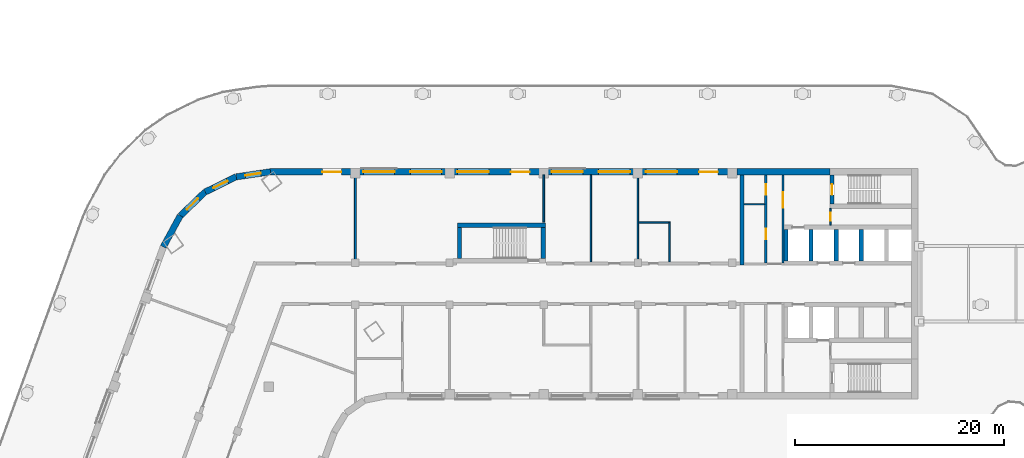
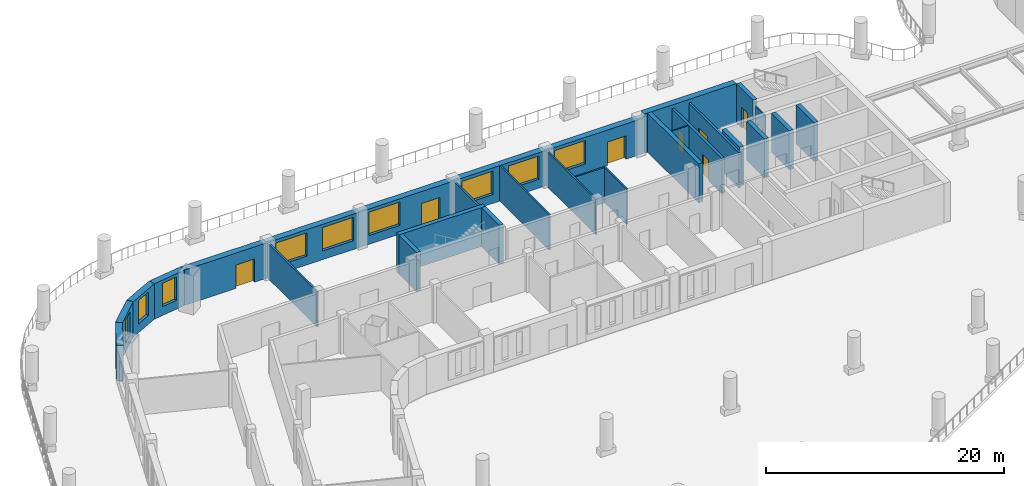
# One storey, part 8 of 18: 25 walls, 9 windows, 8 doors, 17 openings.
"""IFC4 building model written with IfcOpenShell, lengths in metres."""

import ifcopenshell
import ifcopenshell.guid

model = None  # the IFC model being written
_history = None  # IfcOwnerHistory: only IFC2X3 demands one
_inside = {}  # id of a spatial element -> (the spatial element, [elements in it])
_under = {}  # id of a project, library or spatial element -> (it, [spatial elements below it])
_declared = {}  # id of a project -> (the project, [libraries it declares])
_typed = {}  # id of a type object -> (the type object, [elements of that type])
_made_of = {}  # id of a material, layer set ... -> (it, [elements and type objects made of it])


def new_model(schema):
    """Start an empty IFC model of exactly this schema.

    Asked for "IFC4X3", IfcOpenShell would pick the latest addendum, in which some entities
    have other attributes; the version numbers below select the first issue.
    IFC2X3 requires an IfcOwnerHistory on every rooted entity: one is made here for all.
    """
    global model, _history
    if schema == "IFC4X3":
        model = ifcopenshell.file(schema_version=(4, 3, 0, 0))
    else:
        model = ifcopenshell.file(schema=schema)
    _inside.clear()
    _under.clear()
    _declared.clear()
    _typed.clear()
    _made_of.clear()
    _history = None
    if model.schema == "IFC2X3":
        org = make("IfcOrganization", Name="unknown")
        user = make(
            "IfcPersonAndOrganization",
            ThePerson=make("IfcPerson", FamilyName="unknown"),
            TheOrganization=org,
        )
        app = make(
            "IfcApplication",
            ApplicationDeveloper=org,
            Version="unknown",
            ApplicationFullName="unknown",
            ApplicationIdentifier="unknown",
        )
        _history = make(
            "IfcOwnerHistory",
            OwningUser=user,
            OwningApplication=app,
            ChangeAction="ADDED",
            CreationDate=0,
        )
    return model


def make(cls, **values):
    """One entity of the class cls with the attributes given. An attribute that is None is left unset."""
    return model.create_entity(
        cls, **{name: value for name, value in values.items() if value is not None}
    )


def rooted(cls, **values):
    """An entity with a GlobalId (a new one), such as an element, a storey or a relation."""
    return make(cls, GlobalId=ifcopenshell.guid.new(), OwnerHistory=_history, **values)


def si_unit(unit_type, name, prefix=None):
    """IfcSIUnit, for example si_unit("LENGTHUNIT", "METRE", prefix="MILLI")."""
    return make("IfcSIUnit", UnitType=unit_type, Prefix=prefix, Name=name)


def assignment(units):
    """IfcUnitAssignment: the units of a project."""
    return None if units is None else make("IfcUnitAssignment", Units=units)


def point(xyz):
    """IfcCartesianPoint."""
    return None if xyz is None else make("IfcCartesianPoint", Coordinates=xyz)


def direction(xyz):
    """IfcDirection."""
    return None if xyz is None else make("IfcDirection", DirectionRatios=xyz)


def frame(location, z_axis=None, x_axis=None):
    """IfcAxis2Placement3D, a coordinate frame: its origin and axes. An axis left out is left unset."""
    return make(
        "IfcAxis2Placement3D",
        Location=point(location),
        Axis=direction(z_axis),
        RefDirection=direction(x_axis),
    )


def frame_2d(location, x_axis=None):
    """IfcAxis2Placement2D, a coordinate frame in the plane: its origin and x axis."""
    return make(
        "IfcAxis2Placement2D", Location=point(location), RefDirection=direction(x_axis)
    )


def origin():
    """The frame at (0, 0, 0) with its axes left unset."""
    return frame((0.0, 0.0, 0.0))


def place(relative_to, where):
    """IfcLocalPlacement: puts the frame where relative to a parent placement (None: the world)."""
    return make(
        "IfcLocalPlacement", PlacementRelTo=relative_to, RelativePlacement=where
    )


def context(
    kind, dimensions, precision=None, world=None, true_north=None, identifier=None
):
    """IfcGeometricRepresentationContext, for example the 3D "Model" context."""
    return make(
        "IfcGeometricRepresentationContext",
        ContextIdentifier=identifier,
        ContextType=kind,
        CoordinateSpaceDimension=dimensions,
        Precision=precision,
        WorldCoordinateSystem=world,
        TrueNorth=true_north,
    )


def subcontext(parent, identifier, kind, view, scale=None):
    """IfcGeometricRepresentationSubContext, for example "Body" below "Model"."""
    return make(
        "IfcGeometricRepresentationSubContext",
        ContextIdentifier=identifier,
        ContextType=kind,
        ParentContext=parent,
        TargetScale=scale,
        TargetView=view,
    )


def project(units=None, contexts=None):
    """IfcProject with its units and contexts."""
    return rooted(
        "IfcProject",
        Name="project",
        RepresentationContexts=contexts,
        UnitsInContext=assignment(units),
    )


def spatial(cls, under=None, at=None, **own):
    """A site, building, storey or space (cls), placed at a placement, below another one or the project."""
    s = rooted(cls, ObjectPlacement=at, **own)
    if under is not None:
        _under.setdefault(under.id(), (under, []))[1].append(s)
    return s


def profile(cls, at=None, kind="AREA", **sizes):
    """A parametric profile (cls). Its sizes go by their IFC names, for example OverallWidth=200.0."""
    return make(cls, ProfileType=kind, Position=at, **sizes)


def rectangle(**sizes):
    """IfcRectangleProfileDef."""
    return profile("IfcRectangleProfileDef", **sizes)


def extrude(swept, where, along, depth):
    """IfcExtrudedAreaSolid: the profile swept, set in the frame where, extruded along a direction by depth."""
    return make(
        "IfcExtrudedAreaSolid",
        SweptArea=swept,
        Position=where,
        ExtrudedDirection=direction(along),
        Depth=depth,
    )


def shape(context_of_items, identifier, shape_type, items):
    """IfcShapeRepresentation: the items that make up one representation, for example the "Body"."""
    return make(
        "IfcShapeRepresentation",
        ContextOfItems=context_of_items,
        RepresentationIdentifier=identifier,
        RepresentationType=shape_type,
        Items=items,
    )


def material(Name=None, Category=None):
    """IfcMaterial."""
    return make("IfcMaterial", Name=Name, Category=Category)


def layer(
    of_material, thickness, ventilated=None, Name=None, Category=None, Priority=None
):
    """IfcMaterialLayer: one layer of a wall or slab, of a material (None: an air gap)."""
    return make(
        "IfcMaterialLayer",
        Material=of_material,
        LayerThickness=thickness,
        IsVentilated=ventilated,
        Name=Name,
        Category=Category,
        Priority=Priority,
    )


def layer_set(layers, Name=None):
    """IfcMaterialLayerSet."""
    return make("IfcMaterialLayerSet", MaterialLayers=layers, LayerSetName=Name)


def made_of(thing, what):
    """Note that an element or type object is made of a material, layer set ...; save() writes the relation."""
    if what is not None:
        _made_of.setdefault(what.id(), (what, []))[1].append(thing)
    return thing


def type_object(cls, material=None, **own):
    """A type object (cls), such as IfcWallType, which elements share."""
    return made_of(rooted(cls, **own), material)


def element(
    cls,
    number,
    at=None,
    inside=None,
    cuts=None,
    type_object=None,
    material=None,
    context=None,
    identifier="Body",
    shape_type=None,
    held_by="IfcProductDefinitionShape",
    body=None,
    shapes=None,
    **own,
):
    """One element of the class cls, such as IfcWall. Its Tag is "e" and its number.

    at: its placement. inside: the storey or other place that contains it. cuts: it is an
    opening in that element (IfcRelVoidsElement). A single representation is given by context,
    identifier, shape_type and body (its items); several are given by shapes. held_by: the class
    of the entity that holds the representations. save() writes the other relations.
    """
    e = rooted(cls, Tag="e%d" % number, ObjectPlacement=at, **own)
    if body is not None:
        shapes = [shape(context, identifier, shape_type, body)]
    if shapes is not None:
        e.Representation = make(held_by, Representations=shapes)
    if inside is not None:
        _inside.setdefault(inside.id(), (inside, []))[1].append(e)
    if cuts is not None:
        rooted(
            "IfcRelVoidsElement", RelatingBuildingElement=cuts, RelatedOpeningElement=e
        )
    if type_object is not None:
        _typed.setdefault(type_object.id(), (type_object, []))[1].append(e)
    return made_of(e, material)


def fill(opening, filler):
    """IfcRelFillsElement: the door or window that sits in an opening."""
    return rooted(
        "IfcRelFillsElement",
        RelatingOpeningElement=opening,
        RelatedBuildingElement=filler,
    )


def aggregate(whole, parts):
    """IfcRelAggregates: a whole, such as a stair, and the parts it consists of."""
    return rooted("IfcRelAggregates", RelatingObject=whole, RelatedObjects=parts)


def save(model, path):
    """Write the relations noted so far, then the file.

    IfcRelAggregates (storeys below a building ...), IfcRelContainedInSpatialStructure (elements
    in a storey), IfcRelDefinesByType, IfcRelAssociatesMaterial and IfcRelDeclares: one each for
    every whole, place, type object, material and project.
    """
    for whole, parts in _under.values():
        aggregate(whole, parts)
    for where, things in _inside.values():
        rooted(
            "IfcRelContainedInSpatialStructure",
            RelatedElements=things,
            RelatingStructure=where,
        )
    for kind, things in _typed.values():
        rooted("IfcRelDefinesByType", RelatedObjects=things, RelatingType=kind)
    for what, things in _made_of.values():
        rooted("IfcRelAssociatesMaterial", RelatedObjects=things, RelatingMaterial=what)
    for by, libraries in _declared.values():
        rooted("IfcRelDeclares", RelatingContext=by, RelatedDefinitions=libraries)
    model.write(path)


model = new_model("IFC4")

# Units and contexts
model_context = context("Model", 3, precision=1e-05, world=origin(), true_north=direction((0.0, 1.0)))
body_context = subcontext(model_context, "Body", "Model", "MODEL_VIEW")
ifc_project = project(units=[si_unit("LENGTHUNIT", "METRE"), si_unit("AREAUNIT", "SQUARE_METRE"), si_unit("VOLUMEUNIT", "CUBIC_METRE"), si_unit("PLANEANGLEUNIT", "RADIAN"), si_unit("MASSUNIT", "GRAM", prefix="KILO")], contexts=[model_context])

# Site, building, storey
site_placement = place(None, origin())
site = spatial("IfcSite", under=ifc_project, at=site_placement, CompositionType="ELEMENT")
building_placement = place(site_placement, origin())
building = spatial("IfcBuilding", under=site, at=building_placement, Name="Skarvind Civic Tower", CompositionType="ELEMENT")
storey_placement = place(building_placement, frame((0.0, 0.0, 27.5)))
storey = spatial("IfcBuildingStorey", under=building, at=storey_placement, Name="L05", CompositionType="ELEMENT", Elevation=27.5)

# Walls
ifc_material_1 = material(Name="Acoustic gypsum board on steel studs", Category="steel")
ifc_layer_1 = layer(ifc_material_1, 0.175048828125)
ifc_layer_set_1 = layer_set([ifc_layer_1], Name="ACOUSTIC MEETING-ROOM PARTITION 175")
wall_type_1 = type_object("IfcWallType", Name="ACOUSTIC MEETING-ROOM PARTITION 175", PredefinedType="PARTITIONING", material=ifc_layer_set_1)
wall_1_placement = place(storey_placement, frame((54.25, 138.39990234375, 0.0), z_axis=(0.0, 0.0, 1.0), x_axis=(0.0, -1.0, 0.0)))
element("IfcWall", 1, at=wall_1_placement, inside=storey, type_object=wall_type_1, Name="Partition 05.015", PredefinedType="PARTITIONING", context=body_context, shape_type="SweptSolid", body=[
    extrude(rectangle(XDim=8.2998046875, YDim=0.175048828125, at=frame_2d((4.14990234375, 0.0))), origin(), (0.0, 0.0, 1.0), 3.625),
])
wall_2_placement = place(storey_placement, frame((72.25, 133.89990234375, 0.0), z_axis=(0.0, 0.0, 1.0), x_axis=(0.0, 1.0, 0.0)))
element("IfcWall", 2, at=wall_2_placement, inside=storey, type_object=wall_type_1, Name="Partition 05.019", PredefinedType="PARTITIONING", context=body_context, shape_type="SweptSolid", body=[
    extrude(rectangle(XDim=4.5, YDim=0.175048828125, at=frame_2d((2.25, 0.0))), origin(), (0.0, 0.0, 1.0), 3.625),
])

# Wall, opening, door
ifc_material_2 = material(Name="Fire-rated masonry partition", Category="masonry")
ifc_layer_2 = layer(ifc_material_2, 0.199951171875)
ifc_layer_set_2 = layer_set([ifc_layer_2], Name="Core enclosure wall 200")
wall_type_2 = type_object("IfcWallType", Name="Core enclosure wall 200", PredefinedType="PARTITIONING", material=ifc_layer_set_2)
wall_3_placement = place(storey_placement, frame((95.10009765625, 130.0, 0.0), z_axis=(0.0, 0.0, 1.0), x_axis=(0.0, 1.0, 0.0)))
wall_3 = element("IfcWall", 3, at=wall_3_placement, inside=storey, type_object=wall_type_2, Name="Core wall C1", PredefinedType="PARTITIONING", context=body_context, shape_type="SweptSolid", body=[
    extrude(rectangle(XDim=8.39990234375, YDim=0.199951171875, at=frame_2d((4.199951171875, 0.0))), origin(), (0.0, 0.0, 1.0), 3.625),
])
opening_1_placement = place(wall_3_placement, frame((5.25, 0.0, 0.0)))
opening_1 = element("IfcOpeningElement", 4, at=opening_1_placement, cuts=wall_3, Name="Opening D-L05-C1-11", PredefinedType="OPENING", context=body_context, shape_type="SweptSolid", body=[
    extrude(rectangle(XDim=1.5, YDim=2.10009765625, at=frame_2d((0.75, 1.050048828125))), frame((0.0, 0.10986328125, 0.0), z_axis=(0.0, -1.0, 0.0), x_axis=(1.0, 0.0, 0.0)), (0.0, 0.0, 1.0), 0.219970703125),
])
ifc_material_3 = material(Name="Fire-rated steel door", Category="steel")
door_type_1 = type_object("IfcDoorType", Name="Fire door 1500", OperationType="NOTDEFINED", PredefinedType="DOOR", material=ifc_material_3)
door_1_placement = place(opening_1_placement, origin())
door_1 = element("IfcDoor", 5, at=door_1_placement, inside=storey, type_object=door_type_1, Name="Fire door", OperationType="DOUBLE_DOOR_SINGLE_SWING", OverallHeight=2.10009765625, OverallWidth=1.5, PredefinedType="DOOR", context=body_context, shape_type="SweptSolid", body=[
    extrude(rectangle(XDim=1.5, YDim=2.10009765625, at=frame_2d((0.75, 1.050048828125))), frame((0.0, 0.02490234375, 0.0), z_axis=(0.0, -1.0, 0.0), x_axis=(1.0, 0.0, 0.0)), (0.0, 0.0, 1.0), 0.050048828125),
])
fill(opening_1, door_1)

# Wall
ifc_material_4 = material(Name="Fire-rated plasterboard partition")
ifc_layer_3 = layer(ifc_material_4, 0.10009765625)
ifc_layer_set_3 = layer_set([ifc_layer_3], Name="Core partition wall 100")
wall_type_3 = type_object("IfcWallType", Name="Core partition wall 100", PredefinedType="PARTITIONING", material=ifc_layer_set_3)
wall_4_placement = place(storey_placement, frame((91.39990234375, 135.60009765625, 0.0), z_axis=(0.0, 0.0, 1.0), x_axis=(1.0, 0.0, 0.0)))
element("IfcWall", 6, at=wall_4_placement, inside=storey, type_object=wall_type_3, Name="Core wall C1", PredefinedType="PARTITIONING", context=body_context, shape_type="SweptSolid", body=[
    extrude(rectangle(XDim=1.9501953125, YDim=0.10009765625, at=frame_2d((0.97509765625, 0.0))), origin(), (0.0, 0.0, 1.0), 3.625),
])

# Wall, opening, door
ifc_material_5 = material(Name="Concrete C80", Category="concrete")
ifc_layer_4 = layer(ifc_material_5, 0.39990234375)
ifc_layer_set_4 = layer_set([ifc_layer_4], Name="Core wall 400 C80")
wall_type_4 = type_object("IfcWallType", Name="Core wall 400 C80", PredefinedType="SHEAR", material=ifc_layer_set_4)
wall_5_placement = place(storey_placement, frame((99.800048828125, 138.39990234375, 0.0), z_axis=(0.0, 0.0, 1.0), x_axis=(0.0, -1.0, 0.0)))
wall_5 = element("IfcWall", 7, at=wall_5_placement, inside=storey, type_object=wall_type_4, Name="Core wall C1 south stair end L05", PredefinedType="SHEAR", context=body_context, shape_type="SweptSolid", body=[
    extrude(rectangle(XDim=2.7998046875, YDim=0.39990234375, at=frame_2d((1.39990234375, 0.0))), origin(), (0.0, 0.0, 1.0), 4.0),
])
opening_2_placement = place(wall_5_placement, frame((0.89990234375, 0.0, 0.0)))
opening_2 = element("IfcOpeningElement", 8, at=opening_2_placement, cuts=wall_5, Name="Opening D-L05-C1-12", PredefinedType="OPENING", context=body_context, shape_type="SweptSolid", body=[
    extrude(rectangle(XDim=1.0, YDim=2.10009765625, at=frame_2d((0.5, 1.050048828125))), frame((0.0, 0.2099609375, 0.0), z_axis=(0.0, -1.0, 0.0), x_axis=(1.0, 0.0, 0.0)), (0.0, 0.0, 1.0), 0.419921875),
])
door_type_2 = type_object("IfcDoorType", Name="Fire door 1000", OperationType="NOTDEFINED", PredefinedType="DOOR", material=ifc_material_3)
door_2_placement = place(opening_2_placement, origin())
door_2 = element("IfcDoor", 9, at=door_2_placement, inside=storey, type_object=door_type_2, Name="Fire door", OperationType="SINGLE_SWING_RIGHT", OverallHeight=2.10009765625, OverallWidth=1.0, PredefinedType="DOOR", context=body_context, shape_type="SweptSolid", body=[
    extrude(rectangle(XDim=1.0, YDim=2.10009765625, at=frame_2d((0.5, 1.050048828125))), frame((0.0, 0.02490234375, 0.0), z_axis=(0.0, -1.0, 0.0), x_axis=(1.0, 0.0, 0.0)), (0.0, 0.0, 1.0), 0.050048828125),
])
fill(opening_2, door_2)

# Walls
for number, where, z_axis, x_axis, name in (
    (10, (102.60009765625, 133.199951171875, 0.0), (0.0, 0.0, 1.0), (0.0, -1.0, 0.0), "Core wall C1 south lift row division 2 L05"),
    (11, (100.199951171875, 133.199951171875, 0.0), (0.0, 0.0, 1.0), (0.0, -1.0, 0.0), "Core wall C1 south lift row division 3 L05"),
    (12, (97.800048828125, 133.199951171875, 0.0), (0.0, 0.0, 1.0), (0.0, -1.0, 0.0), "Core wall C1 south lift row division 4 L05"),
    (13, (95.39990234375, 133.199951171875, 0.0), (0.0, 0.0, 1.0), (0.0, -1.0, 0.0), "Core wall C1 south lift row division 5 L05"),
):
    element("IfcWall", number, at=place(storey_placement, frame(where, z_axis=z_axis, x_axis=x_axis)), inside=storey, type_object=wall_type_4, Name=name, PredefinedType="SHEAR", context=body_context, shape_type="SweptSolid", body=[
        extrude(rectangle(XDim=3.0, YDim=0.39990234375, at=frame_2d((1.5, 0.0))), origin(), (0.0, 0.0, 1.0), 4.0),
    ])
wall_6_placement = place(storey_placement, frame((91.199951171875, 138.39990234375, 0.0), z_axis=(0.0, 0.0, 1.0), x_axis=(0.0, -1.0, 0.0)))
element("IfcWall", 14, at=wall_6_placement, inside=storey, type_object=wall_type_4, Name="Core wall C1 south inner face L05", PredefinedType="SHEAR", context=body_context, shape_type="SweptSolid", body=[
    extrude(rectangle(XDim=8.599853515625, YDim=0.39990234375, at=frame_2d((4.2998046875, 0.0))), origin(), (0.0, 0.0, 1.0), 4.0),
])
wall_7_placement = place(storey_placement, frame((64.0, 133.60009765625, 0.0), z_axis=(0.0, 0.0, 1.0), x_axis=(1.0, 0.0, 0.0)))
element("IfcWall", 15, at=wall_7_placement, inside=storey, type_object=wall_type_4, Name="Core wall CM outer L05", PredefinedType="SHEAR", context=body_context, shape_type="SweptSolid", body=[
    extrude(rectangle(XDim=8.39990234375, YDim=0.39990234375, at=frame_2d((4.199951171875, 0.0))), origin(), (0.0, 0.0, 1.0), 4.0),
])
for number, where, z_axis, x_axis, name in (
    (16, (64.199951171875, 130.39990234375, 0.0), (0.0, 0.0, 1.0), (0.0, 1.0, 0.0), "Core wall CM west L05"),
    (17, (72.199951171875, 130.39990234375, 0.0), (0.0, 0.0, 1.0), (0.0, 1.0, 0.0), "Core wall CM end L05"),
):
    element("IfcWall", number, at=place(storey_placement, frame(where, z_axis=z_axis, x_axis=x_axis)), inside=storey, type_object=wall_type_4, Name=name, PredefinedType="SHEAR", context=body_context, shape_type="SweptSolid", body=[
        extrude(rectangle(XDim=3.0, YDim=0.39990234375, at=frame_2d((1.5, 0.0))), origin(), (0.0, 0.0, 1.0), 4.0),
    ])
ifc_layer_5 = layer(ifc_material_5, 0.60009765625)
ifc_layer_set_5 = layer_set([ifc_layer_5], Name="Core wall 600 C80")
wall_type_5 = type_object("IfcWallType", Name="Core wall 600 C80", PredefinedType="SHEAR", material=ifc_layer_set_5)
wall_8_placement = place(storey_placement, frame((99.60009765625, 138.699951171875, 0.0), z_axis=(0.0, 0.0, 1.0), x_axis=(-1.0, 0.0, 0.0)))
element("IfcWall", 18, at=wall_8_placement, inside=storey, type_object=wall_type_5, Name="Core wall C1 south side L05", PredefinedType="SHEAR", context=body_context, shape_type="SweptSolid", body=[
    extrude(rectangle(XDim=8.900146484375, YDim=0.60009765625, at=frame_2d((4.4501953125, 0.0))), origin(), (0.0, 0.0, 1.0), 4.0),
])
ifc_material_6 = material(Name="Plasterboard partition on steel studs", Category="steel")
ifc_layer_6 = layer(ifc_material_6, 0.14990234375)
ifc_layer_set_6 = layer_set([ifc_layer_6], Name="PARTITION 150")
wall_type_6 = type_object("IfcWallType", Name="PARTITION 150", PredefinedType="PARTITIONING", material=ifc_layer_set_6)
for number, where, z_axis, x_axis, name in (
    (19, (76.75, 130.10009765625, 0.0), (0.0, 0.0, 1.0), (0.0, 1.0, 0.0), "Partition 05.024"),
    (20, (81.25, 130.10009765625, 0.0), (0.0, 0.0, 1.0), (0.0, 1.0, 0.0), "Partition 05.026"),
):
    element("IfcWall", number, at=place(storey_placement, frame(where, z_axis=z_axis, x_axis=x_axis)), inside=storey, type_object=wall_type_6, Name=name, PredefinedType="PARTITIONING", context=body_context, shape_type="SweptSolid", body=[
        extrude(rectangle(XDim=8.2998046875, YDim=0.14990234375, at=frame_2d((4.14990234375, 0.0))), origin(), (0.0, 0.0, 1.0), 3.625),
    ])
wall_9_placement = place(storey_placement, frame((81.324951171875, 133.85009765625, 0.0), z_axis=(0.0, 0.0, 1.0), x_axis=(1.0, 0.0, 0.0)))
element("IfcWall", 21, at=wall_9_placement, inside=storey, type_object=wall_type_6, Name="Partition 05.027", PredefinedType="PARTITIONING", context=body_context, shape_type="SweptSolid", body=[
    extrude(rectangle(XDim=2.85009765625, YDim=0.14990234375, at=frame_2d((1.425048828125, 0.0))), origin(), (0.0, 0.0, 1.0), 3.625),
])
wall_10_placement = place(storey_placement, frame((84.25, 133.925048828125, 0.0), z_axis=(0.0, 0.0, 1.0), x_axis=(0.0, -1.0, 0.0)))
element("IfcWall", 22, at=wall_10_placement, inside=storey, type_object=wall_type_6, Name="Partition 05.028", PredefinedType="PARTITIONING", context=body_context, shape_type="SweptSolid", body=[
    extrude(rectangle(XDim=3.824951171875, YDim=0.14990234375, at=frame_2d((1.91259765625, 0.0))), origin(), (0.0, 0.0, 1.0), 3.625),
])

# Wall, opening, door
ifc_layer_7 = layer(ifc_material_2, 0.125)
ifc_layer_set_7 = layer_set([ifc_layer_7], Name="Riser wall 125")
wall_type_7 = type_object("IfcWallType", Name="Riser wall 125", PredefinedType="PARTITIONING", material=ifc_layer_set_7)
wall_11_placement = place(storey_placement, frame((99.66259765625, 133.60009765625, 0.0), z_axis=(0.0, 0.0, 1.0), x_axis=(0.0, 1.0, 0.0)))
wall_11 = element("IfcWall", 23, at=wall_11_placement, inside=storey, type_object=wall_type_7, Name="Core wall C1", PredefinedType="PARTITIONING", context=body_context, shape_type="SweptSolid", body=[
    extrude(rectangle(XDim=1.599853515625, YDim=0.125, at=frame_2d((0.7998046875, 0.0))), origin(), (0.0, 0.0, 1.0), 3.625),
])
opening_3_placement = place(wall_11_placement, frame((0.39990234375, 0.0, 0.0)))
opening_3 = element("IfcOpeningElement", 24, at=opening_3_placement, cuts=wall_11, Name="Opening D-L05-C1-13", PredefinedType="OPENING", context=body_context, shape_type="SweptSolid", body=[
    extrude(rectangle(XDim=0.800048828125, YDim=2.10009765625, at=frame_2d((0.39990234375, 1.050048828125))), frame((0.0, 0.072509765625, 0.0), z_axis=(0.0, -1.0, 0.0), x_axis=(1.0, 0.0, 0.0)), (0.0, 0.0, 1.0), 0.14501953125),
])
door_type_3 = type_object("IfcDoorType", Name="Core riser door 800", OperationType="NOTDEFINED", PredefinedType="DOOR", material=ifc_material_3)
door_3_placement = place(opening_3_placement, origin())
door_3 = element("IfcDoor", 25, at=door_3_placement, inside=storey, type_object=door_type_3, Name="Riser door", OperationType="SINGLE_SWING_LEFT", OverallHeight=2.10009765625, OverallWidth=0.800048828125, PredefinedType="DOOR", context=body_context, shape_type="SweptSolid", body=[
    extrude(rectangle(XDim=0.800048828125, YDim=2.10009765625, at=frame_2d((0.39990234375, 1.050048828125))), frame((0.0, 0.02490234375, 0.0), z_axis=(0.0, -1.0, 0.0), x_axis=(1.0, 0.0, 0.0)), (0.0, 0.0, 1.0), 0.050048828125),
])
fill(opening_3, door_3)

# Wall, openings, doors
ifc_layer_8 = layer(ifc_material_2, 0.25)
ifc_layer_set_8 = layer_set([ifc_layer_8], Name="Service block wall 250")
wall_type_8 = type_object("IfcWallType", Name="Service block wall 250", PredefinedType="PARTITIONING", material=ifc_layer_set_8)
wall_12_placement = place(storey_placement, frame((93.47509765625, 130.0, 0.0), z_axis=(0.0, 0.0, 1.0), x_axis=(0.0, 1.0, 0.0)))
wall_12 = element("IfcWall", 26, at=wall_12_placement, inside=storey, type_object=wall_type_8, Name="Core wall C1", PredefinedType="PARTITIONING", context=body_context, shape_type="SweptSolid", body=[
    extrude(rectangle(XDim=8.39990234375, YDim=0.25, at=frame_2d((4.199951171875, 0.0))), origin(), (0.0, 0.0, 1.0), 3.625),
])
opening_4_placement = place(wall_12_placement, frame((2.27490234375, 0.0, 0.0)))
opening_4 = element("IfcOpeningElement", 27, at=opening_4_placement, cuts=wall_12, Name="Opening D-L05-C1-14", PredefinedType="OPENING", context=body_context, shape_type="SweptSolid", body=[
    extrude(rectangle(XDim=1.0, YDim=2.10009765625, at=frame_2d((0.5, 1.050048828125))), frame((0.0, 0.135009765625, 0.0), z_axis=(0.0, -1.0, 0.0), x_axis=(1.0, 0.0, 0.0)), (0.0, 0.0, 1.0), 0.27001953125),
])
opening_5_placement = place(wall_12_placement, frame((6.52490234375, 0.0, 0.0)))
opening_5 = element("IfcOpeningElement", 28, at=opening_5_placement, cuts=wall_12, Name="Opening D-L05-C1-15", PredefinedType="OPENING", context=body_context, shape_type="SweptSolid", body=[
    extrude(rectangle(XDim=1.0, YDim=2.10009765625, at=frame_2d((0.5, 1.050048828125))), frame((0.0, 0.135009765625, 0.0), z_axis=(0.0, -1.0, 0.0), x_axis=(1.0, 0.0, 0.0)), (0.0, 0.0, 1.0), 0.27001953125),
])
door_4_placement = place(opening_4_placement, origin())
door_4 = element("IfcDoor", 29, at=door_4_placement, inside=storey, type_object=door_type_2, Name="Fire door", OperationType="SINGLE_SWING_RIGHT", OverallHeight=2.10009765625, OverallWidth=1.0, PredefinedType="DOOR", context=body_context, shape_type="SweptSolid", body=[
    extrude(rectangle(XDim=1.0, YDim=2.10009765625, at=frame_2d((0.5, 1.050048828125))), frame((0.0, 0.02490234375, 0.0), z_axis=(0.0, -1.0, 0.0), x_axis=(1.0, 0.0, 0.0)), (0.0, 0.0, 1.0), 0.050048828125),
])
fill(opening_4, door_4)
door_5_placement = place(opening_5_placement, origin())
door_5 = element("IfcDoor", 30, at=door_5_placement, inside=storey, type_object=door_type_2, Name="Fire door", OperationType="SINGLE_SWING_LEFT", OverallHeight=2.10009765625, OverallWidth=1.0, PredefinedType="DOOR", context=body_context, shape_type="SweptSolid", body=[
    extrude(rectangle(XDim=1.0, YDim=2.10009765625, at=frame_2d((0.5, 1.050048828125))), frame((0.0, 0.02490234375, 0.0), z_axis=(0.0, -1.0, 0.0), x_axis=(1.0, 0.0, 0.0)), (0.0, 0.0, 1.0), 0.050048828125),
])
fill(opening_5, door_5)

# Wall, openings, doors, windows
ifc_material_7 = material(Name="Limestone masonry cladding on insulated backing", Category="masonry")
ifc_layer_9 = layer(ifc_material_7, 0.60009765625)
ifc_layer_set_9 = layer_set([ifc_layer_9], Name="WX1 STONE FACADE WALL 600")
wall_type_9 = type_object("IfcWallType", Name="WX1 STONE FACADE WALL 600", PredefinedType="SOLIDWALL", material=ifc_layer_set_9)
wall_13_placement = place(storey_placement, frame((46.095458984375, 138.699951171875, 0.0), z_axis=(0.0, 0.0, 1.0), x_axis=(1.0, 0.0, 0.0)))
wall_13 = element("IfcWall", 31, at=wall_13_placement, inside=storey, type_object=wall_type_9, Name="STONE FACADE WALL", PredefinedType="SOLIDWALL", context=body_context, shape_type="SweptSolid", body=[
    extrude(rectangle(XDim=44.884521484375, YDim=0.60009765625, at=frame_2d((22.4423828125, 0.0))), origin(), (0.0, 0.0, 1.0), 3.625),
])
opening_6_placement = place(wall_13_placement, frame((5.00439453125, 0.0, 0.0)))
opening_6 = element("IfcOpeningElement", 32, at=opening_6_placement, cuts=wall_13, Name="Opening DX3", PredefinedType="OPENING", context=body_context, shape_type="SweptSolid", body=[
    extrude(rectangle(XDim=1.800048828125, YDim=2.39990234375, at=frame_2d((0.89990234375, 1.199951171875))), frame((0.0, 0.31005859375, 0.0), z_axis=(0.0, -1.0, 0.0), x_axis=(1.0, 0.0, 0.0)), (0.0, 0.0, 1.0), 0.6201171875),
])
opening_7_placement = place(wall_13_placement, frame((8.904541015625, 0.0, 0.89990234375)))
opening_7 = element("IfcOpeningElement", 33, at=opening_7_placement, cuts=wall_13, Name="Opening WN1", PredefinedType="OPENING", context=body_context, shape_type="SweptSolid", body=[
    extrude(rectangle(XDim=3.0, YDim=2.39990234375, at=frame_2d((1.5, 1.199951171875))), frame((0.0, 0.31005859375, 0.0), z_axis=(0.0, -1.0, 0.0), x_axis=(1.0, 0.0, 0.0)), (0.0, 0.0, 1.0), 0.6201171875),
])
opening_8_placement = place(wall_13_placement, frame((13.404541015625, 0.0, 0.89990234375)))
opening_8 = element("IfcOpeningElement", 34, at=opening_8_placement, cuts=wall_13, Name="Opening WN1", PredefinedType="OPENING", context=body_context, shape_type="SweptSolid", body=[
    extrude(rectangle(XDim=3.0, YDim=2.39990234375, at=frame_2d((1.5, 1.199951171875))), frame((0.0, 0.31005859375, 0.0), z_axis=(0.0, -1.0, 0.0), x_axis=(1.0, 0.0, 0.0)), (0.0, 0.0, 1.0), 0.6201171875),
])
opening_9_placement = place(wall_13_placement, frame((17.904541015625, 0.0, 0.89990234375)))
opening_9 = element("IfcOpeningElement", 35, at=opening_9_placement, cuts=wall_13, Name="Opening WN1", PredefinedType="OPENING", context=body_context, shape_type="SweptSolid", body=[
    extrude(rectangle(XDim=3.0, YDim=2.39990234375, at=frame_2d((1.5, 1.199951171875))), frame((0.0, 0.31005859375, 0.0), z_axis=(0.0, -1.0, 0.0), x_axis=(1.0, 0.0, 0.0)), (0.0, 0.0, 1.0), 0.6201171875),
])
opening_10_placement = place(wall_13_placement, frame((23.00439453125, 0.0, 0.0)))
opening_10 = element("IfcOpeningElement", 36, at=opening_10_placement, cuts=wall_13, Name="Opening DX3", PredefinedType="OPENING", context=body_context, shape_type="SweptSolid", body=[
    extrude(rectangle(XDim=1.800048828125, YDim=2.39990234375, at=frame_2d((0.89990234375, 1.199951171875))), frame((0.0, 0.31005859375, 0.0), z_axis=(0.0, -1.0, 0.0), x_axis=(1.0, 0.0, 0.0)), (0.0, 0.0, 1.0), 0.6201171875),
])
opening_11_placement = place(wall_13_placement, frame((26.904541015625, 0.0, 0.89990234375)))
opening_11 = element("IfcOpeningElement", 37, at=opening_11_placement, cuts=wall_13, Name="Opening WN1", PredefinedType="OPENING", context=body_context, shape_type="SweptSolid", body=[
    extrude(rectangle(XDim=3.0, YDim=2.39990234375, at=frame_2d((1.5, 1.199951171875))), frame((0.0, 0.31005859375, 0.0), z_axis=(0.0, -1.0, 0.0), x_axis=(1.0, 0.0, 0.0)), (0.0, 0.0, 1.0), 0.6201171875),
])
opening_12_placement = place(wall_13_placement, frame((31.404541015625, 0.0, 0.89990234375)))
opening_12 = element("IfcOpeningElement", 38, at=opening_12_placement, cuts=wall_13, Name="Opening WN1", PredefinedType="OPENING", context=body_context, shape_type="SweptSolid", body=[
    extrude(rectangle(XDim=3.0, YDim=2.39990234375, at=frame_2d((1.5, 1.199951171875))), frame((0.0, 0.31005859375, 0.0), z_axis=(0.0, -1.0, 0.0), x_axis=(1.0, 0.0, 0.0)), (0.0, 0.0, 1.0), 0.6201171875),
])
opening_13_placement = place(wall_13_placement, frame((35.904541015625, 0.0, 0.89990234375)))
opening_13 = element("IfcOpeningElement", 39, at=opening_13_placement, cuts=wall_13, Name="Opening WN1", PredefinedType="OPENING", context=body_context, shape_type="SweptSolid", body=[
    extrude(rectangle(XDim=3.0, YDim=2.39990234375, at=frame_2d((1.5, 1.199951171875))), frame((0.0, 0.31005859375, 0.0), z_axis=(0.0, -1.0, 0.0), x_axis=(1.0, 0.0, 0.0)), (0.0, 0.0, 1.0), 0.6201171875),
])
opening_14_placement = place(wall_13_placement, frame((41.00439453125, 0.0, 0.0)))
opening_14 = element("IfcOpeningElement", 40, at=opening_14_placement, cuts=wall_13, Name="Opening DX3", PredefinedType="OPENING", context=body_context, shape_type="SweptSolid", body=[
    extrude(rectangle(XDim=1.800048828125, YDim=2.39990234375, at=frame_2d((0.89990234375, 1.199951171875))), frame((0.0, 0.31005859375, 0.0), z_axis=(0.0, -1.0, 0.0), x_axis=(1.0, 0.0, 0.0)), (0.0, 0.0, 1.0), 0.6201171875),
])
ifc_material_8 = material(Name="Timber and glass doorset", Category="wood")
door_type_4 = type_object("IfcDoorType", Name="DX3 TERRACE DOORS 1800 x 2400", OperationType="NOTDEFINED", PredefinedType="DOOR", material=ifc_material_8)
door_6_placement = place(opening_6_placement, origin())
door_6 = element("IfcDoor", 41, at=door_6_placement, inside=storey, type_object=door_type_4, Name="TERRACE DOORS", OperationType="DOUBLE_DOOR_SINGLE_SWING", OverallHeight=2.39990234375, OverallWidth=1.800048828125, PredefinedType="DOOR", context=body_context, shape_type="SweptSolid", body=[
    extrude(rectangle(XDim=1.800048828125, YDim=2.39990234375, at=frame_2d((0.89990234375, 1.199951171875))), frame((0.0, 0.02490234375, 0.0), z_axis=(0.0, -1.0, 0.0), x_axis=(1.0, 0.0, 0.0)), (0.0, 0.0, 1.0), 0.050048828125),
])
fill(opening_6, door_6)
door_7_placement = place(opening_10_placement, origin())
door_7 = element("IfcDoor", 42, at=door_7_placement, inside=storey, type_object=door_type_4, Name="TERRACE DOORS", OperationType="DOUBLE_DOOR_SINGLE_SWING", OverallHeight=2.39990234375, OverallWidth=1.800048828125, PredefinedType="DOOR", context=body_context, shape_type="SweptSolid", body=[
    extrude(rectangle(XDim=1.800048828125, YDim=2.39990234375, at=frame_2d((0.89990234375, 1.199951171875))), frame((0.0, 0.02490234375, 0.0), z_axis=(0.0, -1.0, 0.0), x_axis=(1.0, 0.0, 0.0)), (0.0, 0.0, 1.0), 0.050048828125),
])
fill(opening_10, door_7)
door_8_placement = place(opening_14_placement, origin())
door_8 = element("IfcDoor", 43, at=door_8_placement, inside=storey, type_object=door_type_4, Name="TERRACE DOORS", OperationType="DOUBLE_DOOR_SINGLE_SWING", OverallHeight=2.39990234375, OverallWidth=1.800048828125, PredefinedType="DOOR", context=body_context, shape_type="SweptSolid", body=[
    extrude(rectangle(XDim=1.800048828125, YDim=2.39990234375, at=frame_2d((0.89990234375, 1.199951171875))), frame((0.0, 0.02490234375, 0.0), z_axis=(0.0, -1.0, 0.0), x_axis=(1.0, 0.0, 0.0)), (0.0, 0.0, 1.0), 0.050048828125),
])
fill(opening_14, door_8)
ifc_material_9 = material(Name="Timber frame, double glazing, timber-lined reveal", Category="wood")
window_type_1 = type_object("IfcWindowType", Name="WN1 PUNCHED STONE WINDOW 3000 x 2400", PartitioningType="SINGLE_PANEL", PredefinedType="WINDOW", material=ifc_material_9)
window_1_placement = place(opening_7_placement, origin())
window_1 = element("IfcWindow", 44, at=window_1_placement, inside=storey, type_object=window_type_1, Name="WN1 WINDOW", OverallHeight=2.39990234375, OverallWidth=3.0, PartitioningType="SINGLE_PANEL", PredefinedType="WINDOW", context=body_context, shape_type="SweptSolid", body=[
    extrude(rectangle(XDim=3.0, YDim=2.39990234375, at=frame_2d((1.5, 1.199951171875))), frame((0.0, 0.030029296875, 0.0), z_axis=(0.0, -1.0, 0.0), x_axis=(1.0, 0.0, 0.0)), (0.0, 0.0, 1.0), 0.06005859375),
])
fill(opening_7, window_1)
window_2_placement = place(opening_8_placement, origin())
window_2 = element("IfcWindow", 45, at=window_2_placement, inside=storey, type_object=window_type_1, Name="WN1 WINDOW", OverallHeight=2.39990234375, OverallWidth=3.0, PartitioningType="SINGLE_PANEL", PredefinedType="WINDOW", context=body_context, shape_type="SweptSolid", body=[
    extrude(rectangle(XDim=3.0, YDim=2.39990234375, at=frame_2d((1.5, 1.199951171875))), frame((0.0, 0.030029296875, 0.0), z_axis=(0.0, -1.0, 0.0), x_axis=(1.0, 0.0, 0.0)), (0.0, 0.0, 1.0), 0.06005859375),
])
fill(opening_8, window_2)
window_3_placement = place(opening_9_placement, origin())
window_3 = element("IfcWindow", 46, at=window_3_placement, inside=storey, type_object=window_type_1, Name="WN1 WINDOW", OverallHeight=2.39990234375, OverallWidth=3.0, PartitioningType="SINGLE_PANEL", PredefinedType="WINDOW", context=body_context, shape_type="SweptSolid", body=[
    extrude(rectangle(XDim=3.0, YDim=2.39990234375, at=frame_2d((1.5, 1.199951171875))), frame((0.0, 0.030029296875, 0.0), z_axis=(0.0, -1.0, 0.0), x_axis=(1.0, 0.0, 0.0)), (0.0, 0.0, 1.0), 0.06005859375),
])
fill(opening_9, window_3)
window_4_placement = place(opening_11_placement, origin())
window_4 = element("IfcWindow", 47, at=window_4_placement, inside=storey, type_object=window_type_1, Name="WN1 WINDOW", OverallHeight=2.39990234375, OverallWidth=3.0, PartitioningType="SINGLE_PANEL", PredefinedType="WINDOW", context=body_context, shape_type="SweptSolid", body=[
    extrude(rectangle(XDim=3.0, YDim=2.39990234375, at=frame_2d((1.5, 1.199951171875))), frame((0.0, 0.030029296875, 0.0), z_axis=(0.0, -1.0, 0.0), x_axis=(1.0, 0.0, 0.0)), (0.0, 0.0, 1.0), 0.06005859375),
])
fill(opening_11, window_4)
window_5_placement = place(opening_12_placement, origin())
window_5 = element("IfcWindow", 48, at=window_5_placement, inside=storey, type_object=window_type_1, Name="WN1 WINDOW", OverallHeight=2.39990234375, OverallWidth=3.0, PartitioningType="SINGLE_PANEL", PredefinedType="WINDOW", context=body_context, shape_type="SweptSolid", body=[
    extrude(rectangle(XDim=3.0, YDim=2.39990234375, at=frame_2d((1.5, 1.199951171875))), frame((0.0, 0.030029296875, 0.0), z_axis=(0.0, -1.0, 0.0), x_axis=(1.0, 0.0, 0.0)), (0.0, 0.0, 1.0), 0.06005859375),
])
fill(opening_12, window_5)
window_6_placement = place(opening_13_placement, origin())
window_6 = element("IfcWindow", 49, at=window_6_placement, inside=storey, type_object=window_type_1, Name="WN1 WINDOW", OverallHeight=2.39990234375, OverallWidth=3.0, PartitioningType="SINGLE_PANEL", PredefinedType="WINDOW", context=body_context, shape_type="SweptSolid", body=[
    extrude(rectangle(XDim=3.0, YDim=2.39990234375, at=frame_2d((1.5, 1.199951171875))), frame((0.0, 0.030029296875, 0.0), z_axis=(0.0, -1.0, 0.0), x_axis=(1.0, 0.0, 0.0)), (0.0, 0.0, 1.0), 0.06005859375),
])
fill(opening_13, window_6)

# Wall, opening, window
wall_14_placement = place(storey_placement, frame((42.872802734375, 138.21728515625, 0.0), z_axis=(0.0, 0.0, 1.0), x_axis=(0.989110792192, 0.14717282619, 0.0)))
wall_14 = element("IfcWall", 50, at=wall_14_placement, inside=storey, type_object=wall_type_9, Name="STONE FACADE WALL", PredefinedType="SOLIDWALL", context=body_context, shape_type="SweptSolid", body=[
    extrude(rectangle(XDim=3.302734375, YDim=0.60009765625, at=frame_2d((1.6513671875, 0.0))), origin(), (0.0, 0.0, 1.0), 3.625),
])
opening_15_placement = place(wall_14_placement, frame((0.8564453125, 0.0, 0.89990234375)))
opening_15 = element("IfcOpeningElement", 51, at=opening_15_placement, cuts=wall_14, Name="Opening WN8", PredefinedType="OPENING", context=body_context, shape_type="SweptSolid", body=[
    extrude(rectangle(XDim=1.5, YDim=2.39990234375, at=frame_2d((0.75, 1.199951171875))), frame((0.0, 0.31005859375, 0.0), z_axis=(0.0, -1.0, 0.0), x_axis=(1.0, 0.0, 0.0)), (0.0, 0.0, 1.0), 0.6201171875),
])
window_type_2 = type_object("IfcWindowType", Name="WN8 ARC BAY WINDOW 1500 x 2400", PartitioningType="SINGLE_PANEL", PredefinedType="WINDOW", material=ifc_material_9)
window_7_placement = place(opening_15_placement, origin())
window_7 = element("IfcWindow", 52, at=window_7_placement, inside=storey, type_object=window_type_2, Name="WN8 WINDOW", OverallHeight=2.39990234375, OverallWidth=1.5, PartitioningType="SINGLE_PANEL", PredefinedType="WINDOW", context=body_context, shape_type="SweptSolid", body=[
    extrude(rectangle(XDim=1.5, YDim=2.39990234375, at=frame_2d((0.75, 1.199951171875))), frame((0.0, 0.030029296875, 0.0), z_axis=(0.0, -1.0, 0.0), x_axis=(1.0, 0.0, 0.0)), (0.0, 0.0, 1.0), 0.06005859375),
])
fill(opening_15, window_7)

wall_15_placement = place(storey_placement, frame((39.9072265625, 136.77587890625, 0.0), z_axis=(0.0, 0.0, 1.0), x_axis=(0.89761231107, 0.440785819889, 0.0)))
wall_15 = element("IfcWall", 53, at=wall_15_placement, inside=storey, type_object=wall_type_9, Name="STONE FACADE WALL", PredefinedType="SOLIDWALL", context=body_context, shape_type="SweptSolid", body=[
    extrude(rectangle(XDim=3.302734375, YDim=0.60009765625, at=frame_2d((1.6513671875, 0.0))), origin(), (0.0, 0.0, 1.0), 3.625),
])
opening_16_placement = place(wall_15_placement, frame((0.8564453125, 0.0, 0.89990234375)))
opening_16 = element("IfcOpeningElement", 54, at=opening_16_placement, cuts=wall_15, Name="Opening WN8", PredefinedType="OPENING", context=body_context, shape_type="SweptSolid", body=[
    extrude(rectangle(XDim=1.5, YDim=2.39990234375, at=frame_2d((0.75, 1.199951171875))), frame((0.0, 0.31005859375, 0.0), z_axis=(0.0, -1.0, 0.0), x_axis=(1.0, 0.0, 0.0)), (0.0, 0.0, 1.0), 0.6201171875),
])
window_8_placement = place(opening_16_placement, origin())
window_8 = element("IfcWindow", 55, at=window_8_placement, inside=storey, type_object=window_type_2, Name="WN8 WINDOW", OverallHeight=2.39990234375, OverallWidth=1.5, PartitioningType="SINGLE_PANEL", PredefinedType="WINDOW", context=body_context, shape_type="SweptSolid", body=[
    extrude(rectangle(XDim=1.5, YDim=2.39990234375, at=frame_2d((0.75, 1.199951171875))), frame((0.0, 0.030029296875, 0.0), z_axis=(0.0, -1.0, 0.0), x_axis=(1.0, 0.0, 0.0)), (0.0, 0.0, 1.0), 0.06005859375),
])
fill(opening_16, window_8)

wall_16_placement = place(storey_placement, frame((37.520263671875, 134.501220703125, 0.0), z_axis=(0.0, 0.0, 1.0), x_axis=(0.72115684486, 0.692771827596, 0.0)))
wall_16 = element("IfcWall", 56, at=wall_16_placement, inside=storey, type_object=wall_type_9, Name="STONE FACADE WALL", PredefinedType="SOLIDWALL", context=body_context, shape_type="SweptSolid", body=[
    extrude(rectangle(XDim=3.302734375, YDim=0.60009765625, at=frame_2d((1.6513671875, 0.0))), origin(), (0.0, 0.0, 1.0), 3.625),
])
opening_17_placement = place(wall_16_placement, frame((0.8564453125, 0.0, 0.89990234375)))
opening_17 = element("IfcOpeningElement", 57, at=opening_17_placement, cuts=wall_16, Name="Opening WN8", PredefinedType="OPENING", context=body_context, shape_type="SweptSolid", body=[
    extrude(rectangle(XDim=1.5, YDim=2.39990234375, at=frame_2d((0.75, 1.199951171875))), frame((0.0, 0.31005859375, 0.0), z_axis=(0.0, -1.0, 0.0), x_axis=(1.0, 0.0, 0.0)), (0.0, 0.0, 1.0), 0.6201171875),
])
window_9_placement = place(opening_17_placement, origin())
window_9 = element("IfcWindow", 58, at=window_9_placement, inside=storey, type_object=window_type_2, Name="WN8 WINDOW", OverallHeight=2.39990234375, OverallWidth=1.5, PartitioningType="SINGLE_PANEL", PredefinedType="WINDOW", context=body_context, shape_type="SweptSolid", body=[
    extrude(rectangle(XDim=1.5, YDim=2.39990234375, at=frame_2d((0.75, 1.199951171875))), frame((0.0, 0.030029296875, 0.0), z_axis=(0.0, -1.0, 0.0), x_axis=(1.0, 0.0, 0.0)), (0.0, 0.0, 1.0), 0.06005859375),
])
fill(opening_17, window_9)

# Wall
wall_17_placement = place(storey_placement, frame((35.89453125, 131.529541015625, 0.0), z_axis=(0.0, 0.0, 1.0), x_axis=(0.476531180538, 0.879157570618, 0.0)))
element("IfcWall", 59, at=wall_17_placement, inside=storey, type_object=wall_type_9, Name="STONE FACADE WALL", PredefinedType="SOLIDWALL", context=body_context, shape_type="SweptSolid", body=[
    extrude(rectangle(XDim=3.392578125, YDim=0.60009765625, at=frame_2d((1.6962890625, 0.0))), origin(), (0.0, 0.0, 1.0), 3.625),
])

save(model, "model.ifc")
